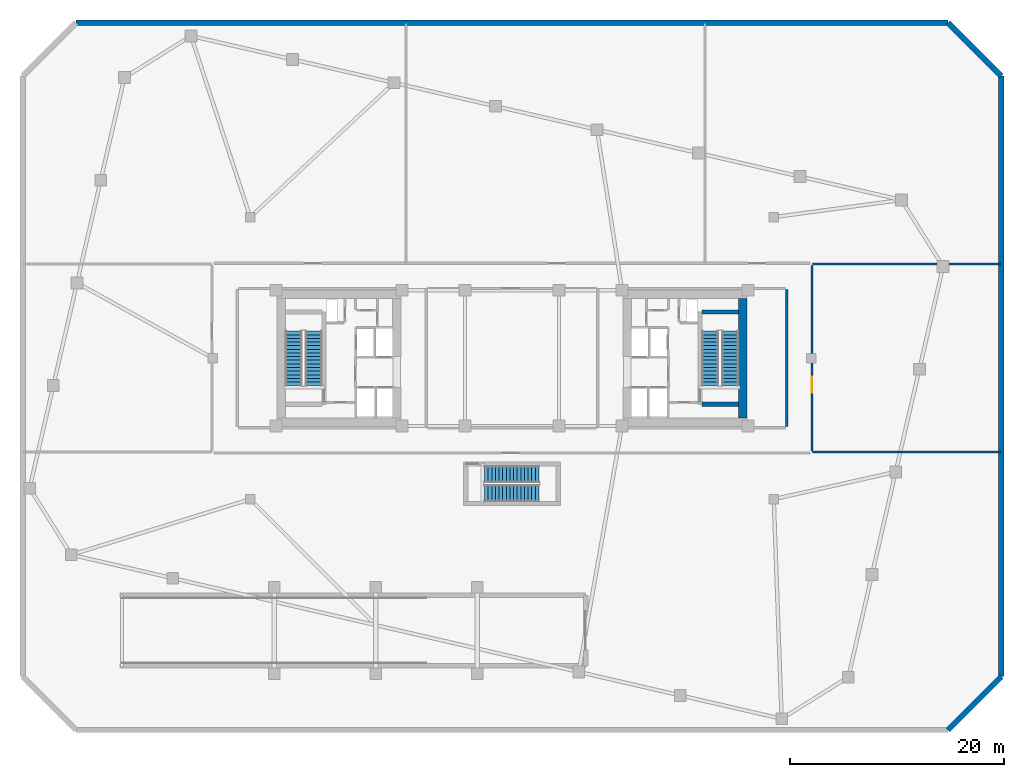
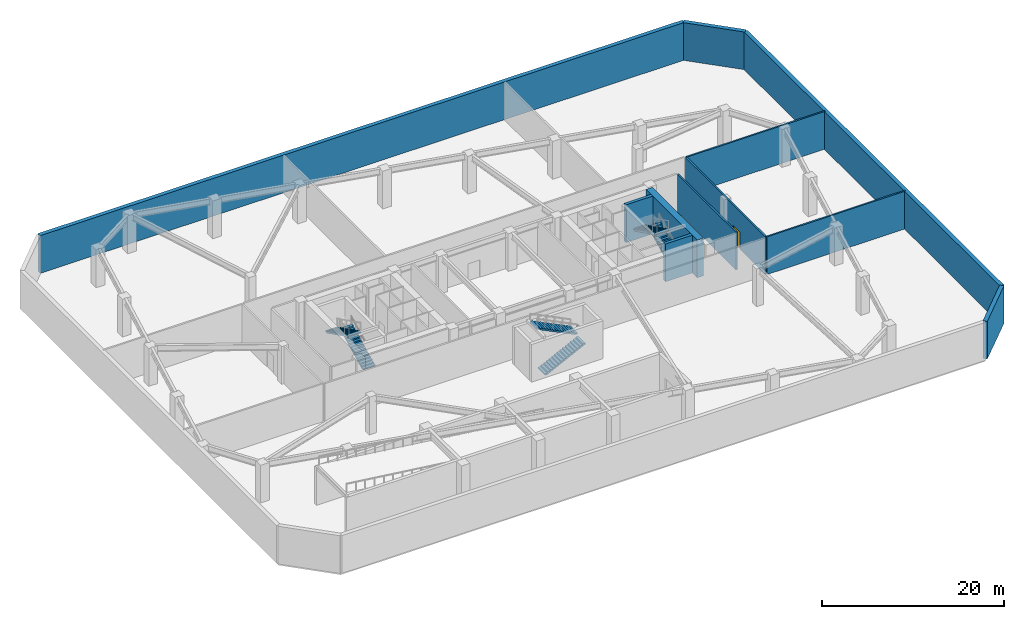
# One storey, part 8 of 11: 11 walls, 6 stair flights, 1 door, 1 opening, 3 elements without a shape of their own.
"""IFC4 building model written with IfcOpenShell, lengths in metres."""

from ifc_helpers import new_model, si_unit, direction, frame, frame_2d, origin, place, context, subcontext, project, spatial, polyline, rectangle, outline, extrude, material, layer, layer_set, type_object, element, fill, aggregate, save


model = new_model("IFC4")

# Units and contexts
model_context = context("Model", 3, precision=1e-05, world=origin(), true_north=direction((0.0, 1.0)))
body_context = subcontext(model_context, "Body", "Model", "MODEL_VIEW")
ifc_project = project(units=[si_unit("LENGTHUNIT", "METRE"), si_unit("AREAUNIT", "SQUARE_METRE"), si_unit("VOLUMEUNIT", "CUBIC_METRE"), si_unit("PLANEANGLEUNIT", "RADIAN"), si_unit("MASSUNIT", "GRAM", prefix="KILO")], contexts=[model_context])

# Site, building, storey
site_placement = place(None, origin())
site = spatial("IfcSite", under=ifc_project, at=site_placement, CompositionType="ELEMENT")
building_placement = place(site_placement, origin())
building = spatial("IfcBuilding", under=site, at=building_placement, Name="Tavrogorsk Clinical Tower", CompositionType="ELEMENT")
storey_placement = place(building_placement, frame((0.0, 0.0, -5.39990234375)))
storey = spatial("IfcBuildingStorey", under=building, at=storey_placement, Name="B1", CompositionType="ELEMENT", Elevation=-5.39990234375)

# Wall, opening, door
ifc_material_1 = material(Name="Concrete B60", Category="concrete")
ifc_layer_1 = layer(ifc_material_1, 0.199951171875)
ifc_layer_set_1 = layer_set([ifc_layer_1], Name="Concrete B60")
wall_type_1 = type_object("IfcWallType", Name="CoreFireWall_200", PredefinedType="SOLIDWALL", material=ifc_layer_set_1)
wall_1_placement = place(storey_placement, frame((28.080078125, 8.695068359375, 0.0), z_axis=(0.0, 0.0, 1.0), x_axis=(0.0, -1.0, 0.0)))
wall_1 = element("IfcWall", 1, at=wall_1_placement, inside=storey, type_object=wall_type_1, Name="B1 Corridor Fire Wall 03", PredefinedType="SOLIDWALL", context=body_context, shape_type="SweptSolid", body=[
    extrude(rectangle(XDim=17.39013671875, YDim=0.199951171875, at=frame_2d((8.695068359375, 0.0))), origin(), (0.0, 0.0, 1.0), 5.0498046875),
])
opening_placement = place(wall_1_placement, frame((10.449951171875, 0.0, 0.0)))
opening = element("IfcOpeningElement", 2, at=opening_placement, cuts=wall_1, Name="Opening FD-03", PredefinedType="OPENING", context=body_context, shape_type="SweptSolid", body=[
    extrude(rectangle(XDim=1.5, YDim=2.300048828125, at=frame_2d((0.75, 1.14990234375))), frame((0.0, 0.10986328125, 0.0), z_axis=(0.0, -1.0, 0.0), x_axis=(1.0, 0.0, 0.0)), (0.0, 0.0, 1.0), 0.219970703125),
])
ifc_material_2 = material(Name="Galvanised steel double fire door assembly", Category="steel")
door_type = type_object("IfcDoorType", Name="FireDoor_FD03_1500", OperationType="DOUBLE_SWING_LEFT", PredefinedType="DOOR", material=ifc_material_2)
door_placement = place(opening_placement, origin())
door = element("IfcDoor", 3, at=door_placement, inside=storey, type_object=door_type, Name="B1 Standby Diesel Generator Hall Fire Door", OperationType="DOUBLE_SWING_LEFT", OverallHeight=2.300048828125, OverallWidth=1.5, PredefinedType="DOOR", context=body_context, shape_type="SweptSolid", body=[
    extrude(rectangle(XDim=1.5, YDim=2.300048828125, at=frame_2d((0.75, 1.14990234375))), frame((0.0, 0.02490234375, 0.0), z_axis=(0.0, -1.0, 0.0), x_axis=(1.0, 0.0, 0.0)), (0.0, 0.0, 1.0), 0.050048828125),
])
fill(opening, door)

# Walls
wall_2_placement = place(storey_placement, frame((25.719970703125, -6.4150390625, 0.0), z_axis=(0.0, 0.0, 1.0), x_axis=(0.0, 1.0, 0.0)))
element("IfcWall", 4, at=wall_2_placement, inside=storey, type_object=wall_type_1, Name="B1 Corridor Fire Wall 07", PredefinedType="SOLIDWALL", context=body_context, shape_type="SweptSolid", body=[
    extrude(rectangle(XDim=12.830078125, YDim=0.199951171875, at=frame_2d((6.4150390625, 0.0))), origin(), (0.0, 0.0, 1.0), 5.0498046875),
])
for number, where, z_axis, x_axis, name in (
    (5, (28.10498046875, -8.800048828125, 0.0), (0.0, 0.0, 1.0), (1.0, 0.0, 0.0), "B1 Compartment Fire Wall 2"),
    (6, (28.10498046875, 8.800048828125, 0.0), (0.0, 0.0, 1.0), (1.0, 0.0, 0.0), "B1 Compartment Fire Wall 4"),
):
    element("IfcWall", number, at=place(storey_placement, frame(where, z_axis=z_axis, x_axis=x_axis)), inside=storey, type_object=wall_type_1, Name=name, PredefinedType="SOLIDWALL", context=body_context, shape_type="SweptSolid", body=[
        extrude(rectangle(XDim=17.614990234375, YDim=0.199951171875, at=frame_2d((8.8076171875, 0.0))), origin(), (0.0, 0.0, 1.0), 5.0498046875),
    ])
ifc_material_3 = material(Name="Concrete B80", Category="concrete")
ifc_layer_2 = layer(ifc_material_3, 0.39990234375)
ifc_layer_set_2 = layer_set([ifc_layer_2], Name="Concrete B80")
wall_type_2 = type_object("IfcWallType", Name="ShearWall_400", PredefinedType="SHEAR", material=ifc_layer_set_2)
for number, where, z_axis, x_axis, name in (
    (7, (17.800048828125, -4.324951171875, 0.0), (0.0, 0.0, 1.0), (1.0, 0.0, 0.0), "B1 Core East Stair Shaft South Shear Wall"),
    (8, (17.800048828125, 4.324951171875, 0.0), (0.0, 0.0, 1.0), (1.0, 0.0, 0.0), "B1 Core East Stair Shaft North Shear Wall"),
):
    element("IfcWall", number, at=place(storey_placement, frame(where, z_axis=z_axis, x_axis=x_axis)), inside=storey, type_object=wall_type_2, Name=name, PredefinedType="SHEAR", context=body_context, shape_type="SweptSolid", body=[
        extrude(rectangle(XDim=3.39990234375, YDim=0.39990234375, at=frame_2d((1.699951171875, 0.0))), origin(), (0.0, 0.0, 1.0), 5.0498046875),
    ])
ifc_material_4 = material(Name="Concrete B60", Category="concrete")
ifc_layer_3 = layer(ifc_material_4, 0.5)
ifc_layer_set_3 = layer_set([ifc_layer_3], Name="Concrete B60")
wall_type_3 = type_object("IfcWallType", Name="ShearWall_500", PredefinedType="SHEAR", material=ifc_layer_set_3)
wall_3_placement = place(storey_placement, frame((40.800048828125, -34.800048828125, 0.0), z_axis=(0.0, 0.0, 1.0), x_axis=(0.707106781187, 0.707106781187, 0.0)))
element("IfcWall", 9, at=wall_3_placement, inside=storey, type_object=wall_type_3, Name="B1 Retaining Wall 2", PredefinedType="SHEAR", context=body_context, shape_type="SweptSolid", body=[
    extrude(rectangle(XDim=7.071044921875, YDim=0.5, at=frame_2d((3.53564453125, 0.0))), origin(), (0.0, 0.0, 1.0), 5.0498046875),
])
wall_4_placement = place(storey_placement, frame((45.800048828125, -29.800048828125, 0.0), z_axis=(0.0, 0.0, 1.0), x_axis=(0.0, 1.0, 0.0)))
element("IfcWall", 10, at=wall_4_placement, inside=storey, type_object=wall_type_3, Name="B1 Retaining Wall 3", PredefinedType="SHEAR", context=body_context, shape_type="SweptSolid", body=[
    extrude(rectangle(XDim=56.199951171875, YDim=0.5, at=frame_2d((28.10009765625, 0.0))), origin(), (0.0, 0.0, 1.0), 5.0498046875),
])
wall_5_placement = place(storey_placement, frame((45.800048828125, 26.39990234375, 0.0), z_axis=(0.0, 0.0, 1.0), x_axis=(-0.707106781187, 0.707106781187, 0.0)))
element("IfcWall", 11, at=wall_5_placement, inside=storey, type_object=wall_type_3, Name="B1 Retaining Wall 4", PredefinedType="SHEAR", context=body_context, shape_type="SweptSolid", body=[
    extrude(rectangle(XDim=7.071044921875, YDim=0.5, at=frame_2d((3.53564453125, 0.0))), origin(), (0.0, 0.0, 1.0), 5.0498046875),
])
wall_6_placement = place(storey_placement, frame((40.800048828125, 31.39990234375, 0.0), z_axis=(0.0, 0.0, 1.0), x_axis=(-1.0, 0.0, 0.0)))
element("IfcWall", 12, at=wall_6_placement, inside=storey, type_object=wall_type_3, Name="B1 Retaining Wall 5", PredefinedType="SHEAR", context=body_context, shape_type="SweptSolid", body=[
    extrude(rectangle(XDim=81.60009765625, YDim=0.5, at=frame_2d((40.800048828125, 0.0))), origin(), (0.0, 0.0, 1.0), 5.0498046875),
])
ifc_material_5 = material(Name="Concrete B80", Category="concrete")
ifc_layer_4 = layer(ifc_material_5, 0.800048828125)
ifc_layer_set_4 = layer_set([ifc_layer_4], Name="Concrete B80")
wall_type_4 = type_object("IfcWallType", Name="ShearWall_800", PredefinedType="SHEAR", material=ifc_layer_set_4)
wall_7_placement = place(storey_placement, frame((21.60009765625, -5.60009765625, 0.0), z_axis=(0.0, 0.0, 1.0), x_axis=(0.0, 1.0, 0.0)))
element("IfcWall", 13, at=wall_7_placement, inside=storey, type_object=wall_type_4, Name="B1 Core East End Shear Wall", PredefinedType="SHEAR", context=body_context, shape_type="SweptSolid", body=[
    extrude(rectangle(XDim=11.2001953125, YDim=0.800048828125, at=frame_2d((5.60009765625, 0.0))), origin(), (0.0, 0.0, 1.0), 5.0498046875),
])

# Stair, stair flights
ifc_material_6 = material(Name="Concrete B60", Category="concrete")
stair_type = type_object("IfcStairType", Name="CoreStairAssembly", PredefinedType="HALF_TURN_STAIR", material=ifc_material_6)
stair_1_placement = place(storey_placement, origin())
stair_1 = element("IfcStair", 14, at=stair_1_placement, inside=storey, type_object=stair_type, Name="B1 ST-W", PredefinedType="HALF_TURN_STAIR")
ifc_material_7 = material(Name="Concrete B60", Category="concrete")
stair_flight_type = type_object("IfcStairFlightType", Name="CoreStairFlight", PredefinedType="STRAIGHT", material=ifc_material_7)
stair_flight_1_placement = place(storey_placement, frame((-18.574951171875, -2.574951171875, 0.0), z_axis=(0.0, 0.0, 1.0), x_axis=(0.0, 1.0, 0.0)))
stair_flight_1 = element("IfcStairFlight", 15, at=stair_flight_1_placement, type_object=stair_flight_type, Name="ST-W flight 1", NumberOfRisers=16, NumberOfTreads=15, PredefinedType="STRAIGHT", RiserHeight=0.16875, TreadLength=0.34, context=body_context, shape_type="SweptSolid", body=[
    extrude(outline(polyline([(0.0, 0.0), (0.0, 0.168701171875), (0.340087890625, 0.168701171875), (0.340087890625, 0.33740234375), (0.679931640625, 0.33740234375), (0.679931640625, 0.50634765625), (1.02001953125, 0.50634765625), (1.02001953125, 0.675048828125), (1.360107421875, 0.675048828125), (1.360107421875, 0.84375), (1.699951171875, 0.84375), (1.699951171875, 1.012451171875), (2.0400390625, 1.012451171875), (2.0400390625, 1.18115234375), (2.3798828125, 1.18115234375), (2.3798828125, 1.35009765625), (2.719970703125, 1.35009765625), (2.719970703125, 1.518798828125), (3.06005859375, 1.518798828125), (3.06005859375, 1.6875), (3.39990234375, 1.6875), (3.39990234375, 1.856201171875), (3.739990234375, 1.856201171875), (3.739990234375, 2.02490234375), (4.080078125, 2.02490234375), (4.080078125, 2.19384765625), (4.419921875, 2.19384765625), (4.419921875, 2.362548828125), (4.760009765625, 2.362548828125), (4.760009765625, 2.53125), (5.10009765625, 2.53125), (5.10009765625, 2.699951171875), (5.10009765625, 2.364013671875), (0.337158203125, 0.0), (0.0, 0.0)])), frame((0.0, 0.77490234375, 0.0), z_axis=(0.0, -1.0, 0.0), x_axis=(1.0, 0.0, 0.0)), (0.0, 0.0, 1.0), 1.550048828125),
])
stair_flight_2_placement = place(storey_placement, frame((-20.425048828125, 2.52490234375, 2.699951171875), z_axis=(0.0, 0.0, 1.0), x_axis=(0.0, -1.0, 0.0)))
stair_flight_2 = element("IfcStairFlight", 16, at=stair_flight_2_placement, type_object=stair_flight_type, Name="ST-W flight 2", NumberOfRisers=16, NumberOfTreads=15, PredefinedType="STRAIGHT", RiserHeight=0.16875, TreadLength=0.34, context=body_context, shape_type="SweptSolid", body=[
    extrude(outline(polyline([(0.0, 0.0), (0.0, 0.168701171875), (0.340087890625, 0.168701171875), (0.340087890625, 0.33740234375), (0.679931640625, 0.33740234375), (0.679931640625, 0.50634765625), (1.02001953125, 0.50634765625), (1.02001953125, 0.675048828125), (1.360107421875, 0.675048828125), (1.360107421875, 0.84375), (1.699951171875, 0.84375), (1.699951171875, 1.012451171875), (2.0400390625, 1.012451171875), (2.0400390625, 1.18115234375), (2.3798828125, 1.18115234375), (2.3798828125, 1.35009765625), (2.719970703125, 1.35009765625), (2.719970703125, 1.518798828125), (3.06005859375, 1.518798828125), (3.06005859375, 1.6875), (3.39990234375, 1.6875), (3.39990234375, 1.856201171875), (3.739990234375, 1.856201171875), (3.739990234375, 2.02490234375), (4.080078125, 2.02490234375), (4.080078125, 2.19384765625), (4.419921875, 2.19384765625), (4.419921875, 2.362548828125), (4.760009765625, 2.362548828125), (4.760009765625, 2.53125), (5.10009765625, 2.53125), (5.10009765625, 2.699951171875), (5.10009765625, 2.364013671875), (0.337158203125, 0.0), (0.0, 0.0)])), frame((0.0, 0.77490234375, 0.0), z_axis=(0.0, -1.0, 0.0), x_axis=(1.0, 0.0, 0.0)), (0.0, 0.0, 1.0), 1.550048828125),
])
aggregate(stair_1, [stair_flight_1, stair_flight_2])

stair_2_placement = place(storey_placement, origin())
stair_2 = element("IfcStair", 17, at=stair_2_placement, inside=storey, type_object=stair_type, Name="B1 ST-E", PredefinedType="HALF_TURN_STAIR")
stair_flight_3_placement = place(storey_placement, frame((20.425048828125, -2.574951171875, 0.0), z_axis=(0.0, 0.0, 1.0), x_axis=(0.0, 1.0, 0.0)))
stair_flight_3 = element("IfcStairFlight", 18, at=stair_flight_3_placement, type_object=stair_flight_type, Name="ST-E flight 1", NumberOfRisers=16, NumberOfTreads=15, PredefinedType="STRAIGHT", RiserHeight=0.16875, TreadLength=0.34, context=body_context, shape_type="SweptSolid", body=[
    extrude(outline(polyline([(0.0, 0.0), (0.0, 0.168701171875), (0.340087890625, 0.168701171875), (0.340087890625, 0.33740234375), (0.679931640625, 0.33740234375), (0.679931640625, 0.50634765625), (1.02001953125, 0.50634765625), (1.02001953125, 0.675048828125), (1.360107421875, 0.675048828125), (1.360107421875, 0.84375), (1.699951171875, 0.84375), (1.699951171875, 1.012451171875), (2.0400390625, 1.012451171875), (2.0400390625, 1.18115234375), (2.3798828125, 1.18115234375), (2.3798828125, 1.35009765625), (2.719970703125, 1.35009765625), (2.719970703125, 1.518798828125), (3.06005859375, 1.518798828125), (3.06005859375, 1.6875), (3.39990234375, 1.6875), (3.39990234375, 1.856201171875), (3.739990234375, 1.856201171875), (3.739990234375, 2.02490234375), (4.080078125, 2.02490234375), (4.080078125, 2.19384765625), (4.419921875, 2.19384765625), (4.419921875, 2.362548828125), (4.760009765625, 2.362548828125), (4.760009765625, 2.53125), (5.10009765625, 2.53125), (5.10009765625, 2.699951171875), (5.10009765625, 2.364013671875), (0.337158203125, 0.0), (0.0, 0.0)])), frame((0.0, 0.77490234375, 0.0), z_axis=(0.0, -1.0, 0.0), x_axis=(1.0, 0.0, 0.0)), (0.0, 0.0, 1.0), 1.550048828125),
])
stair_flight_4_placement = place(storey_placement, frame((18.574951171875, 2.52490234375, 2.699951171875), z_axis=(0.0, 0.0, 1.0), x_axis=(0.0, -1.0, 0.0)))
stair_flight_4 = element("IfcStairFlight", 19, at=stair_flight_4_placement, type_object=stair_flight_type, Name="ST-E flight 2", NumberOfRisers=16, NumberOfTreads=15, PredefinedType="STRAIGHT", RiserHeight=0.16875, TreadLength=0.34, context=body_context, shape_type="SweptSolid", body=[
    extrude(outline(polyline([(0.0, 0.0), (0.0, 0.168701171875), (0.340087890625, 0.168701171875), (0.340087890625, 0.33740234375), (0.679931640625, 0.33740234375), (0.679931640625, 0.50634765625), (1.02001953125, 0.50634765625), (1.02001953125, 0.675048828125), (1.360107421875, 0.675048828125), (1.360107421875, 0.84375), (1.699951171875, 0.84375), (1.699951171875, 1.012451171875), (2.0400390625, 1.012451171875), (2.0400390625, 1.18115234375), (2.3798828125, 1.18115234375), (2.3798828125, 1.35009765625), (2.719970703125, 1.35009765625), (2.719970703125, 1.518798828125), (3.06005859375, 1.518798828125), (3.06005859375, 1.6875), (3.39990234375, 1.6875), (3.39990234375, 1.856201171875), (3.739990234375, 1.856201171875), (3.739990234375, 2.02490234375), (4.080078125, 2.02490234375), (4.080078125, 2.19384765625), (4.419921875, 2.19384765625), (4.419921875, 2.362548828125), (4.760009765625, 2.362548828125), (4.760009765625, 2.53125), (5.10009765625, 2.53125), (5.10009765625, 2.699951171875), (5.10009765625, 2.364013671875), (0.337158203125, 0.0), (0.0, 0.0)])), frame((0.0, 0.77490234375, 0.0), z_axis=(0.0, -1.0, 0.0), x_axis=(1.0, 0.0, 0.0)), (0.0, 0.0, 1.0), 1.550048828125),
])
aggregate(stair_2, [stair_flight_3, stair_flight_4])

stair_3_placement = place(storey_placement, origin())
stair_3 = element("IfcStair", 20, at=stair_3_placement, inside=storey, type_object=stair_type, Name="B1 ST-P", PredefinedType="HALF_TURN_STAIR")
stair_flight_5_placement = place(storey_placement, frame((-2.574951171875, -12.625, 0.0), z_axis=(0.0, 0.0, 1.0), x_axis=(1.0, 0.0, 0.0)))
stair_flight_5 = element("IfcStairFlight", 21, at=stair_flight_5_placement, type_object=stair_flight_type, Name="ST-P flight 1", NumberOfRisers=16, NumberOfTreads=15, PredefinedType="STRAIGHT", RiserHeight=0.16875, TreadLength=0.34, context=body_context, shape_type="SweptSolid", body=[
    extrude(outline(polyline([(0.0, 0.0), (0.0, 0.168701171875), (0.340087890625, 0.168701171875), (0.340087890625, 0.33740234375), (0.679931640625, 0.33740234375), (0.679931640625, 0.50634765625), (1.02001953125, 0.50634765625), (1.02001953125, 0.675048828125), (1.360107421875, 0.675048828125), (1.360107421875, 0.84375), (1.699951171875, 0.84375), (1.699951171875, 1.012451171875), (2.0400390625, 1.012451171875), (2.0400390625, 1.18115234375), (2.3798828125, 1.18115234375), (2.3798828125, 1.35009765625), (2.719970703125, 1.35009765625), (2.719970703125, 1.518798828125), (3.06005859375, 1.518798828125), (3.06005859375, 1.6875), (3.39990234375, 1.6875), (3.39990234375, 1.856201171875), (3.739990234375, 1.856201171875), (3.739990234375, 2.02490234375), (4.080078125, 2.02490234375), (4.080078125, 2.19384765625), (4.419921875, 2.19384765625), (4.419921875, 2.362548828125), (4.760009765625, 2.362548828125), (4.760009765625, 2.53125), (5.10009765625, 2.53125), (5.10009765625, 2.699951171875), (5.10009765625, 2.364013671875), (0.337158203125, 0.0), (0.0, 0.0)])), frame((0.0, 0.77490234375, 0.0), z_axis=(0.0, -1.0, 0.0), x_axis=(1.0, 0.0, 0.0)), (0.0, 0.0, 1.0), 1.550048828125),
])
stair_flight_6_placement = place(storey_placement, frame((2.52490234375, -10.875, 2.699951171875), z_axis=(0.0, 0.0, 1.0), x_axis=(-1.0, 0.0, 0.0)))
stair_flight_6 = element("IfcStairFlight", 22, at=stair_flight_6_placement, type_object=stair_flight_type, Name="ST-P flight 2", NumberOfRisers=16, NumberOfTreads=15, PredefinedType="STRAIGHT", RiserHeight=0.16875, TreadLength=0.34, context=body_context, shape_type="SweptSolid", body=[
    extrude(outline(polyline([(0.0, 0.0), (0.0, 0.168701171875), (0.340087890625, 0.168701171875), (0.340087890625, 0.33740234375), (0.679931640625, 0.33740234375), (0.679931640625, 0.50634765625), (1.02001953125, 0.50634765625), (1.02001953125, 0.675048828125), (1.360107421875, 0.675048828125), (1.360107421875, 0.84375), (1.699951171875, 0.84375), (1.699951171875, 1.012451171875), (2.0400390625, 1.012451171875), (2.0400390625, 1.18115234375), (2.3798828125, 1.18115234375), (2.3798828125, 1.35009765625), (2.719970703125, 1.35009765625), (2.719970703125, 1.518798828125), (3.06005859375, 1.518798828125), (3.06005859375, 1.6875), (3.39990234375, 1.6875), (3.39990234375, 1.856201171875), (3.739990234375, 1.856201171875), (3.739990234375, 2.02490234375), (4.080078125, 2.02490234375), (4.080078125, 2.19384765625), (4.419921875, 2.19384765625), (4.419921875, 2.362548828125), (4.760009765625, 2.362548828125), (4.760009765625, 2.53125), (5.10009765625, 2.53125), (5.10009765625, 2.699951171875), (5.10009765625, 2.364013671875), (0.337158203125, 0.0), (0.0, 0.0)])), frame((0.0, 0.77490234375, 0.0), z_axis=(0.0, -1.0, 0.0), x_axis=(1.0, 0.0, 0.0)), (0.0, 0.0, 1.0), 1.550048828125),
])
aggregate(stair_3, [stair_flight_5, stair_flight_6])

save(model, "model.ifc")
